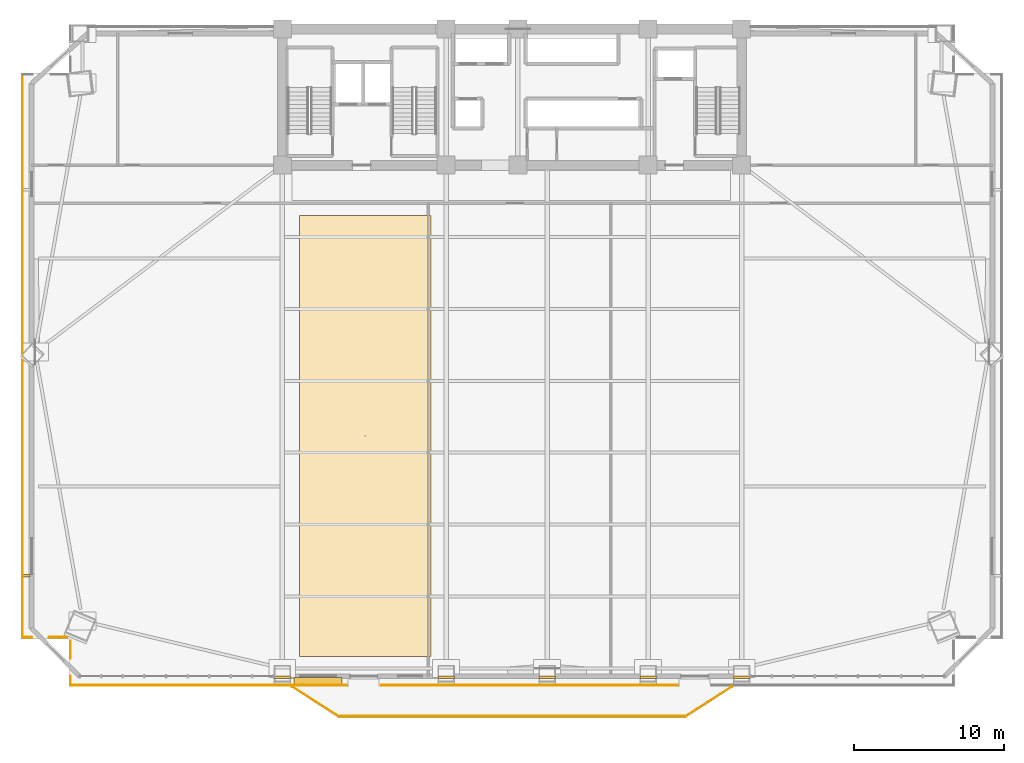
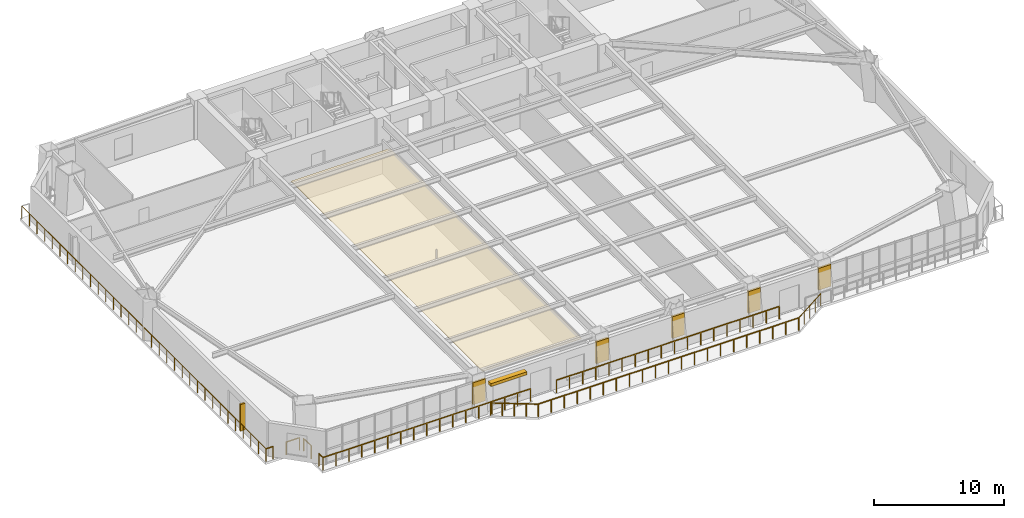
# One storey, part 13 of 17: 10 railings, 6 coverings, 2 shading devices.
"""IFC4 building model written with IfcOpenShell, lengths in metres."""

import ifcopenshell
import ifcopenshell.guid

model = None  # the IFC model being written
_history = None  # IfcOwnerHistory: only IFC2X3 demands one
_inside = {}  # id of a spatial element -> (the spatial element, [elements in it])
_under = {}  # id of a project, library or spatial element -> (it, [spatial elements below it])
_declared = {}  # id of a project -> (the project, [libraries it declares])
_typed = {}  # id of a type object -> (the type object, [elements of that type])
_made_of = {}  # id of a material, layer set ... -> (it, [elements and type objects made of it])


def new_model(schema):
    """Start an empty IFC model of exactly this schema.

    Asked for "IFC4X3", IfcOpenShell would pick the latest addendum, in which some entities
    have other attributes; the version numbers below select the first issue.
    IFC2X3 requires an IfcOwnerHistory on every rooted entity: one is made here for all.
    """
    global model, _history
    if schema == "IFC4X3":
        model = ifcopenshell.file(schema_version=(4, 3, 0, 0))
    else:
        model = ifcopenshell.file(schema=schema)
    _inside.clear()
    _under.clear()
    _declared.clear()
    _typed.clear()
    _made_of.clear()
    _history = None
    if model.schema == "IFC2X3":
        org = make("IfcOrganization", Name="unknown")
        user = make(
            "IfcPersonAndOrganization",
            ThePerson=make("IfcPerson", FamilyName="unknown"),
            TheOrganization=org,
        )
        app = make(
            "IfcApplication",
            ApplicationDeveloper=org,
            Version="unknown",
            ApplicationFullName="unknown",
            ApplicationIdentifier="unknown",
        )
        _history = make(
            "IfcOwnerHistory",
            OwningUser=user,
            OwningApplication=app,
            ChangeAction="ADDED",
            CreationDate=0,
        )
    return model


def make(cls, **values):
    """One entity of the class cls with the attributes given. An attribute that is None is left unset."""
    return model.create_entity(
        cls, **{name: value for name, value in values.items() if value is not None}
    )


def rooted(cls, **values):
    """An entity with a GlobalId (a new one), such as an element, a storey or a relation."""
    return make(cls, GlobalId=ifcopenshell.guid.new(), OwnerHistory=_history, **values)


def si_unit(unit_type, name, prefix=None):
    """IfcSIUnit, for example si_unit("LENGTHUNIT", "METRE", prefix="MILLI")."""
    return make("IfcSIUnit", UnitType=unit_type, Prefix=prefix, Name=name)


def assignment(units):
    """IfcUnitAssignment: the units of a project."""
    return None if units is None else make("IfcUnitAssignment", Units=units)


def point(xyz):
    """IfcCartesianPoint."""
    return None if xyz is None else make("IfcCartesianPoint", Coordinates=xyz)


def direction(xyz):
    """IfcDirection."""
    return None if xyz is None else make("IfcDirection", DirectionRatios=xyz)


def frame(location, z_axis=None, x_axis=None):
    """IfcAxis2Placement3D, a coordinate frame: its origin and axes. An axis left out is left unset."""
    return make(
        "IfcAxis2Placement3D",
        Location=point(location),
        Axis=direction(z_axis),
        RefDirection=direction(x_axis),
    )


def frame_2d(location, x_axis=None):
    """IfcAxis2Placement2D, a coordinate frame in the plane: its origin and x axis."""
    return make(
        "IfcAxis2Placement2D", Location=point(location), RefDirection=direction(x_axis)
    )


def origin():
    """The frame at (0, 0, 0) with its axes left unset."""
    return frame((0.0, 0.0, 0.0))


def origin_2d():
    """The frame at (0, 0) in the plane with its x axis left unset."""
    return frame_2d((0.0, 0.0))


def place(relative_to, where):
    """IfcLocalPlacement: puts the frame where relative to a parent placement (None: the world)."""
    return make(
        "IfcLocalPlacement", PlacementRelTo=relative_to, RelativePlacement=where
    )


def context(
    kind, dimensions, precision=None, world=None, true_north=None, identifier=None
):
    """IfcGeometricRepresentationContext, for example the 3D "Model" context."""
    return make(
        "IfcGeometricRepresentationContext",
        ContextIdentifier=identifier,
        ContextType=kind,
        CoordinateSpaceDimension=dimensions,
        Precision=precision,
        WorldCoordinateSystem=world,
        TrueNorth=true_north,
    )


def subcontext(parent, identifier, kind, view, scale=None):
    """IfcGeometricRepresentationSubContext, for example "Body" below "Model"."""
    return make(
        "IfcGeometricRepresentationSubContext",
        ContextIdentifier=identifier,
        ContextType=kind,
        ParentContext=parent,
        TargetScale=scale,
        TargetView=view,
    )


def project(units=None, contexts=None):
    """IfcProject with its units and contexts."""
    return rooted(
        "IfcProject",
        Name="project",
        RepresentationContexts=contexts,
        UnitsInContext=assignment(units),
    )


def spatial(cls, under=None, at=None, **own):
    """A site, building, storey or space (cls), placed at a placement, below another one or the project."""
    s = rooted(cls, ObjectPlacement=at, **own)
    if under is not None:
        _under.setdefault(under.id(), (under, []))[1].append(s)
    return s


def polyline(points):
    """IfcPolyline through the points."""
    return make("IfcPolyline", Points=[point(p) for p in points])


def profile(cls, at=None, kind="AREA", **sizes):
    """A parametric profile (cls). Its sizes go by their IFC names, for example OverallWidth=200.0."""
    return make(cls, ProfileType=kind, Position=at, **sizes)


def rectangle(**sizes):
    """IfcRectangleProfileDef."""
    return profile("IfcRectangleProfileDef", **sizes)


def outline(outer, holes=None, kind="AREA"):
    """IfcArbitraryClosedProfileDef: a profile drawn as a closed curve; with holes, ...WithVoids."""
    if holes is None:
        return make("IfcArbitraryClosedProfileDef", ProfileType=kind, OuterCurve=outer)
    return make(
        "IfcArbitraryProfileDefWithVoids",
        ProfileType=kind,
        OuterCurve=outer,
        InnerCurves=holes,
    )


def extrude(swept, where, along, depth):
    """IfcExtrudedAreaSolid: the profile swept, set in the frame where, extruded along a direction by depth."""
    return make(
        "IfcExtrudedAreaSolid",
        SweptArea=swept,
        Position=where,
        ExtrudedDirection=direction(along),
        Depth=depth,
    )


def shape(context_of_items, identifier, shape_type, items):
    """IfcShapeRepresentation: the items that make up one representation, for example the "Body"."""
    return make(
        "IfcShapeRepresentation",
        ContextOfItems=context_of_items,
        RepresentationIdentifier=identifier,
        RepresentationType=shape_type,
        Items=items,
    )


def source(mapping_origin, context_of_items, identifier, shape_type, items):
    """IfcRepresentationMap: a shape defined once, which mapped items show again and again."""
    return make(
        "IfcRepresentationMap",
        MappingOrigin=mapping_origin,
        MappedRepresentation=shape(context_of_items, identifier, shape_type, items),
    )


def transform(
    local_origin,
    x_axis=None,
    y_axis=None,
    z_axis=None,
    scale=None,
    scale2=None,
    scale3=None,
    uniform=True,
):
    """IfcCartesianTransformationOperator3D, or its non-uniform kind. x_axis, y_axis, z_axis: its Axis1, 2, 3."""
    if uniform:
        return make(
            "IfcCartesianTransformationOperator3D",
            Axis1=direction(x_axis),
            Axis2=direction(y_axis),
            LocalOrigin=point(local_origin),
            Scale=scale,
            Axis3=direction(z_axis),
        )
    return make(
        "IfcCartesianTransformationOperator3DnonUniform",
        Axis1=direction(x_axis),
        Axis2=direction(y_axis),
        LocalOrigin=point(local_origin),
        Scale=scale,
        Axis3=direction(z_axis),
        Scale2=scale2,
        Scale3=scale3,
    )


def mapped(mapping_source, mapping_target):
    """IfcMappedItem: shows the shape of a source again, moved by a transform."""
    return make(
        "IfcMappedItem", MappingSource=mapping_source, MappingTarget=mapping_target
    )


def material(Name=None, Category=None):
    """IfcMaterial."""
    return make("IfcMaterial", Name=Name, Category=Category)


def layer(
    of_material, thickness, ventilated=None, Name=None, Category=None, Priority=None
):
    """IfcMaterialLayer: one layer of a wall or slab, of a material (None: an air gap)."""
    return make(
        "IfcMaterialLayer",
        Material=of_material,
        LayerThickness=thickness,
        IsVentilated=ventilated,
        Name=Name,
        Category=Category,
        Priority=Priority,
    )


def layer_set(layers, Name=None):
    """IfcMaterialLayerSet."""
    return make("IfcMaterialLayerSet", MaterialLayers=layers, LayerSetName=Name)


def made_of(thing, what):
    """Note that an element or type object is made of a material, layer set ...; save() writes the relation."""
    if what is not None:
        _made_of.setdefault(what.id(), (what, []))[1].append(thing)
    return thing


def type_object(cls, material=None, **own):
    """A type object (cls), such as IfcWallType, which elements share."""
    return made_of(rooted(cls, **own), material)


def element(
    cls,
    number,
    at=None,
    inside=None,
    cuts=None,
    type_object=None,
    material=None,
    context=None,
    identifier="Body",
    shape_type=None,
    held_by="IfcProductDefinitionShape",
    body=None,
    shapes=None,
    **own,
):
    """One element of the class cls, such as IfcWall. Its Tag is "e" and its number.

    at: its placement. inside: the storey or other place that contains it. cuts: it is an
    opening in that element (IfcRelVoidsElement). A single representation is given by context,
    identifier, shape_type and body (its items); several are given by shapes. held_by: the class
    of the entity that holds the representations. save() writes the other relations.
    """
    e = rooted(cls, Tag="e%d" % number, ObjectPlacement=at, **own)
    if body is not None:
        shapes = [shape(context, identifier, shape_type, body)]
    if shapes is not None:
        e.Representation = make(held_by, Representations=shapes)
    if inside is not None:
        _inside.setdefault(inside.id(), (inside, []))[1].append(e)
    if cuts is not None:
        rooted(
            "IfcRelVoidsElement", RelatingBuildingElement=cuts, RelatedOpeningElement=e
        )
    if type_object is not None:
        _typed.setdefault(type_object.id(), (type_object, []))[1].append(e)
    return made_of(e, material)


def aggregate(whole, parts):
    """IfcRelAggregates: a whole, such as a stair, and the parts it consists of."""
    return rooted("IfcRelAggregates", RelatingObject=whole, RelatedObjects=parts)


def save(model, path):
    """Write the relations noted so far, then the file.

    IfcRelAggregates (storeys below a building ...), IfcRelContainedInSpatialStructure (elements
    in a storey), IfcRelDefinesByType, IfcRelAssociatesMaterial and IfcRelDeclares: one each for
    every whole, place, type object, material and project.
    """
    for whole, parts in _under.values():
        aggregate(whole, parts)
    for where, things in _inside.values():
        rooted(
            "IfcRelContainedInSpatialStructure",
            RelatedElements=things,
            RelatingStructure=where,
        )
    for kind, things in _typed.values():
        rooted("IfcRelDefinesByType", RelatedObjects=things, RelatingType=kind)
    for what, things in _made_of.values():
        rooted("IfcRelAssociatesMaterial", RelatedObjects=things, RelatingMaterial=what)
    for by, libraries in _declared.values():
        rooted("IfcRelDeclares", RelatingContext=by, RelatedDefinitions=libraries)
    model.write(path)


model = new_model("IFC4")

# Units and contexts
model_context = context("Model", 3, precision=1e-05, world=origin(), true_north=direction((0.0, 1.0)))
body_context = subcontext(model_context, "Body", "Model", "MODEL_VIEW")
ifc_project = project(units=[si_unit("LENGTHUNIT", "METRE"), si_unit("AREAUNIT", "SQUARE_METRE"), si_unit("VOLUMEUNIT", "CUBIC_METRE"), si_unit("PLANEANGLEUNIT", "RADIAN"), si_unit("MASSUNIT", "GRAM", prefix="KILO")], contexts=[model_context])

# Site, building, storey
site_placement = place(None, origin())
site = spatial("IfcSite", under=ifc_project, at=site_placement, CompositionType="ELEMENT")
building_placement = place(site_placement, origin())
building = spatial("IfcBuilding", under=site, at=building_placement, Name="Giltprow Tower", CompositionType="ELEMENT")
storey_placement = place(building_placement, frame((0.0, 0.0, 33.199951171875)))
storey = spatial("IfcBuildingStorey", under=building, at=storey_placement, Name="L08", CompositionType="ELEMENT", Elevation=33.199951171875)

# Coverings
ifc_material_1 = material(Name="Acoustic mineral fibre", Category="gypsum")
ifc_layer_1 = layer(ifc_material_1, 0.030029296875, Name="Acoustic mineral fibre")
ifc_layer_set_1 = layer_set([ifc_layer_1], Name="Acoustic mineral fibre")
covering_type_1 = type_object("IfcCoveringType", Name="COV-CLG-ACOUSTIC", PredefinedType="CEILING", material=ifc_layer_set_1)
covering_1_placement = place(storey_placement, frame((0.0, 0.0, 2.719970703125)))
element("IfcCovering", 1, at=covering_1_placement, inside=storey, type_object=covering_type_1, Name="L08 Office Acoustic Ceiling", PredefinedType="CEILING", context=body_context, shape_type="SweptSolid", body=[
    extrude(outline(polyline([(21.0, 4.626953125), (29.800048828125, 4.626953125), (29.800048828125, 34.10009765625), (21.0, 34.10009765625), (21.0, 4.626953125)])), origin(), (0.0, 0.0, 1.0), 0.030029296875),
])
ifc_material_2 = material(Name="Anodized bronze", Category="metal")
ifc_layer_2 = layer(ifc_material_2, 0.0400390625, Name="Anodized bronze")
ifc_layer_set_2 = layer_set([ifc_layer_2], Name="Anodized bronze")
covering_type_2 = type_object("IfcCoveringType", Name="COV-SOFFIT-BRONZE", PredefinedType="CLADDING", material=ifc_layer_set_2)
covering_2_placement = place(storey_placement, frame((0.0, 0.0, 1.10009765625)))
element("IfcCovering", 2, at=covering_2_placement, inside=storey, type_object=covering_type_2, Name="L08 Setback Pier Closure Cladding S-1", PredefinedType="CLADDING", context=body_context, shape_type="SweptSolid", body=[
    extrude(outline(polyline([(19.300048828125, 3.139892578125), (20.39990234375, 3.139892578125), (20.39990234375, 3.320068359375), (19.300048828125, 3.320068359375), (19.300048828125, 3.139892578125)])), origin(), (0.0, 0.0, 1.0), 2.06005859375),
])
covering_3_placement = place(storey_placement, frame((0.0, 0.0, 1.10009765625)))
element("IfcCovering", 3, at=covering_3_placement, inside=storey, type_object=covering_type_2, Name="L08 Setback Pier Closure Cladding S-2", PredefinedType="CLADDING", context=body_context, shape_type="SweptSolid", body=[
    extrude(outline(polyline([(30.25, 3.139892578125), (31.35009765625, 3.139892578125), (31.35009765625, 3.320068359375), (30.25, 3.320068359375), (30.25, 3.139892578125)])), origin(), (0.0, 0.0, 1.0), 2.06005859375),
])
covering_4_placement = place(storey_placement, frame((0.0, 0.0, 1.10009765625)))
element("IfcCovering", 4, at=covering_4_placement, inside=storey, type_object=covering_type_2, Name="L08 Setback Pier Closure Cladding S-3", PredefinedType="CLADDING", context=body_context, shape_type="SweptSolid", body=[
    extrude(outline(polyline([(37.0, 3.139892578125), (38.10009765625, 3.139892578125), (38.10009765625, 3.320068359375), (37.0, 3.320068359375), (37.0, 3.139892578125)])), origin(), (0.0, 0.0, 1.0), 2.06005859375),
])
covering_5_placement = place(storey_placement, frame((0.0, 0.0, 1.10009765625)))
element("IfcCovering", 5, at=covering_5_placement, inside=storey, type_object=covering_type_2, Name="L08 Setback Pier Closure Cladding S-4", PredefinedType="CLADDING", context=body_context, shape_type="SweptSolid", body=[
    extrude(outline(polyline([(43.75, 3.139892578125), (44.85009765625, 3.139892578125), (44.85009765625, 3.320068359375), (43.75, 3.320068359375), (43.75, 3.139892578125)])), origin(), (0.0, 0.0, 1.0), 2.06005859375),
])
covering_6_placement = place(storey_placement, frame((0.0, 0.0, 1.10009765625)))
element("IfcCovering", 6, at=covering_6_placement, inside=storey, type_object=covering_type_2, Name="L08 Setback Pier Closure Cladding S-5", PredefinedType="CLADDING", context=body_context, shape_type="SweptSolid", body=[
    extrude(outline(polyline([(50.0, 3.139892578125), (51.10009765625, 3.139892578125), (51.10009765625, 3.320068359375), (50.0, 3.320068359375), (50.0, 3.139892578125)])), origin(), (0.0, 0.0, 1.0), 2.06005859375),
])

# Railings
railing_type = type_object("IfcRailingType", Name="RAIL-BALC-GUARD-1200", PredefinedType="BALUSTRADE", material=ifc_material_2)
railing_1_placement = place(storey_placement, frame((20.52001953125, 2.60009765625, 0.0)))
element("IfcRailing", 7, at=railing_1_placement, inside=storey, type_object=railing_type, Name="L08 Waterfront Balcony Balustrade Seg 1", PredefinedType="BALUSTRADE", context=body_context, shape_type="SweptSolid", body=[
    extrude(rectangle(XDim=0.048095703125, YDim=0.048095703125, at=origin_2d()), frame((0.0, 0.0, 1.17578125), z_axis=(0.84277487735, -0.538266203757, 0.0), x_axis=(0.538266203757, 0.84277487735, 0.0)), (0.0, 0.0, 1.0), 3.678466796875),
    extrude(rectangle(XDim=0.0419921875, YDim=0.0419921875, at=origin_2d()), origin(), (0.0, 0.0, 1.0), 1.15185546875),
    extrude(rectangle(XDim=0.0419921875, YDim=0.0419921875, at=origin_2d()), frame((0.77490234375, -0.4951171875, 0.0)), (0.0, 0.0, 1.0), 1.15185546875),
    extrude(rectangle(XDim=0.0419921875, YDim=0.0419921875, at=origin_2d()), frame((1.550048828125, -0.989990234375, 0.0)), (0.0, 0.0, 1.0), 1.15185546875),
    extrude(rectangle(XDim=0.0419921875, YDim=0.0419921875, at=origin_2d()), frame((2.3251953125, -1.48486328125, 0.0)), (0.0, 0.0, 1.0), 1.15185546875),
    extrude(rectangle(XDim=0.0419921875, YDim=0.0419921875, at=origin_2d()), frame((3.10009765625, -1.97998046875, 0.0)), (0.0, 0.0, 1.0), 1.15185546875),
])
railing_2_placement = place(storey_placement, frame((23.6201171875, 0.6201171875, 0.0)))
element("IfcRailing", 8, at=railing_2_placement, inside=storey, type_object=railing_type, Name="L08 Waterfront Balcony Balustrade Seg 2", PredefinedType="BALUSTRADE", context=body_context, shape_type="SweptSolid", body=[
    extrude(rectangle(XDim=0.048095703125, YDim=0.048095703125, at=origin_2d()), frame((0.0, 0.0, 1.17578125), z_axis=(1.0, 0.0, 0.0), x_axis=(0.0, 1.0, 0.0)), (0.0, 0.0, 1.0), 23.159912109375),
    extrude(rectangle(XDim=0.0419921875, YDim=0.0419921875, at=origin_2d()), origin(), (0.0, 0.0, 1.0), 1.15185546875),
    extrude(rectangle(XDim=0.0419921875, YDim=0.0419921875, at=origin_2d()), frame((1.157958984375, 0.0, 0.0)), (0.0, 0.0, 1.0), 1.15185546875),
    extrude(rectangle(XDim=0.0419921875, YDim=0.0419921875, at=origin_2d()), frame((2.31591796875, 0.0, 0.0)), (0.0, 0.0, 1.0), 1.15185546875),
    extrude(rectangle(XDim=0.0419921875, YDim=0.0419921875, at=origin_2d()), frame((3.473876953125, 0.0, 0.0)), (0.0, 0.0, 1.0), 1.15185546875),
    extrude(rectangle(XDim=0.0419921875, YDim=0.0419921875, at=origin_2d()), frame((4.632080078125, 0.0, 0.0)), (0.0, 0.0, 1.0), 1.15185546875),
    extrude(rectangle(XDim=0.0419921875, YDim=0.0419921875, at=origin_2d()), frame((5.7900390625, 0.0, 0.0)), (0.0, 0.0, 1.0), 1.15185546875),
    extrude(rectangle(XDim=0.0419921875, YDim=0.0419921875, at=origin_2d()), frame((6.947998046875, 0.0, 0.0)), (0.0, 0.0, 1.0), 1.15185546875),
    extrude(rectangle(XDim=0.0419921875, YDim=0.0419921875, at=origin_2d()), frame((8.10595703125, 0.0, 0.0)), (0.0, 0.0, 1.0), 1.15185546875),
    extrude(rectangle(XDim=0.0419921875, YDim=0.0419921875, at=origin_2d()), frame((9.263916015625, 0.0, 0.0)), (0.0, 0.0, 1.0), 1.15185546875),
    extrude(rectangle(XDim=0.0419921875, YDim=0.0419921875, at=origin_2d()), frame((10.421875, 0.0, 0.0)), (0.0, 0.0, 1.0), 1.15185546875),
    extrude(rectangle(XDim=0.0419921875, YDim=0.0419921875, at=origin_2d()), frame((11.580078125, 0.0, 0.0)), (0.0, 0.0, 1.0), 1.15185546875),
    extrude(rectangle(XDim=0.0419921875, YDim=0.0419921875, at=origin_2d()), frame((12.738037109375, 0.0, 0.0)), (0.0, 0.0, 1.0), 1.15185546875),
    extrude(rectangle(XDim=0.0419921875, YDim=0.0419921875, at=origin_2d()), frame((13.89599609375, 0.0, 0.0)), (0.0, 0.0, 1.0), 1.15185546875),
    extrude(rectangle(XDim=0.0419921875, YDim=0.0419921875, at=origin_2d()), frame((15.053955078125, 0.0, 0.0)), (0.0, 0.0, 1.0), 1.15185546875),
    extrude(rectangle(XDim=0.0419921875, YDim=0.0419921875, at=origin_2d()), frame((16.2119140625, 0.0, 0.0)), (0.0, 0.0, 1.0), 1.15185546875),
    extrude(rectangle(XDim=0.0419921875, YDim=0.0419921875, at=origin_2d()), frame((17.369873046875, 0.0, 0.0)), (0.0, 0.0, 1.0), 1.15185546875),
    extrude(rectangle(XDim=0.0419921875, YDim=0.0419921875, at=origin_2d()), frame((18.52783203125, 0.0, 0.0)), (0.0, 0.0, 1.0), 1.15185546875),
    extrude(rectangle(XDim=0.0419921875, YDim=0.0419921875, at=origin_2d()), frame((19.68603515625, 0.0, 0.0)), (0.0, 0.0, 1.0), 1.15185546875),
    extrude(rectangle(XDim=0.0419921875, YDim=0.0419921875, at=origin_2d()), frame((20.843994140625, 0.0, 0.0)), (0.0, 0.0, 1.0), 1.15185546875),
    extrude(rectangle(XDim=0.0419921875, YDim=0.0419921875, at=origin_2d()), frame((22.001953125, 0.0, 0.0)), (0.0, 0.0, 1.0), 1.15185546875),
    extrude(rectangle(XDim=0.0419921875, YDim=0.0419921875, at=origin_2d()), frame((23.159912109375, 0.0, 0.0)), (0.0, 0.0, 1.0), 1.15185546875),
])
railing_3_placement = place(storey_placement, frame((46.780029296875, 0.6201171875, 0.0)))
element("IfcRailing", 9, at=railing_3_placement, inside=storey, type_object=railing_type, Name="L08 Waterfront Balcony Balustrade Seg 3", PredefinedType="BALUSTRADE", context=body_context, shape_type="SweptSolid", body=[
    extrude(rectangle(XDim=0.048095703125, YDim=0.048095703125, at=origin_2d()), frame((0.0, 0.0, 1.17578125), z_axis=(0.842755646126, 0.538296313309, 0.0), x_axis=(-0.538296313309, 0.842755646126, 0.0)), (0.0, 0.0, 1.0), 3.67822265625),
    extrude(rectangle(XDim=0.0419921875, YDim=0.0419921875, at=origin_2d()), origin(), (0.0, 0.0, 1.0), 1.15185546875),
    extrude(rectangle(XDim=0.0419921875, YDim=0.0419921875, at=origin_2d()), frame((0.77490234375, 0.4951171875, 0.0)), (0.0, 0.0, 1.0), 1.15185546875),
    extrude(rectangle(XDim=0.0419921875, YDim=0.0419921875, at=origin_2d()), frame((1.5498046875, 0.989990234375, 0.0)), (0.0, 0.0, 1.0), 1.15185546875),
    extrude(rectangle(XDim=0.0419921875, YDim=0.0419921875, at=origin_2d()), frame((2.324951171875, 1.48486328125, 0.0)), (0.0, 0.0, 1.0), 1.15185546875),
    extrude(rectangle(XDim=0.0419921875, YDim=0.0419921875, at=origin_2d()), frame((3.099853515625, 1.97998046875, 0.0)), (0.0, 0.0, 1.0), 1.15185546875),
])
railing_4_placement = place(storey_placement, frame((5.699951171875, 2.699951171875, 0.0)))
element("IfcRailing", 10, at=railing_4_placement, inside=storey, type_object=railing_type, Name="L08 Corner Apron Edge Balustrade 1", PredefinedType="BALUSTRADE", context=body_context, shape_type="SweptSolid", body=[
    extrude(rectangle(XDim=0.048095703125, YDim=0.048095703125, at=origin_2d()), frame((0.0, 0.0, 1.17578125), z_axis=(0.0, 1.0, 0.0), x_axis=(-1.0, 0.0, 0.0)), (0.0, 0.0, 1.0), 0.6201171875),
    extrude(rectangle(XDim=0.0419921875, YDim=0.0419921875, at=origin_2d()), origin(), (0.0, 0.0, 1.0), 1.15185546875),
    extrude(rectangle(XDim=0.0419921875, YDim=0.0419921875, at=origin_2d()), frame((0.0, 0.6201171875, 0.0)), (0.0, 0.0, 1.0), 1.15185546875),
])
railing_5_placement = place(storey_placement, frame((5.699951171875, 4.47998046875, 0.0)))
element("IfcRailing", 11, at=railing_5_placement, inside=storey, type_object=railing_type, Name="L08 Corner Apron Edge Balustrade 2", PredefinedType="BALUSTRADE", context=body_context, shape_type="SweptSolid", body=[
    extrude(rectangle(XDim=0.048095703125, YDim=0.048095703125, at=origin_2d()), frame((0.0, 0.0, 1.17578125), z_axis=(0.0, 1.0, 0.0), x_axis=(-1.0, 0.0, 0.0)), (0.0, 0.0, 1.0), 1.18505859375),
    extrude(rectangle(XDim=0.0419921875, YDim=0.0419921875, at=origin_2d()), origin(), (0.0, 0.0, 1.0), 1.15185546875),
    extrude(rectangle(XDim=0.0419921875, YDim=0.0419921875, at=origin_2d()), frame((0.0, 1.18505859375, 0.0)), (0.0, 0.0, 1.0), 1.15185546875),
])
railing_6_placement = place(storey_placement, frame((5.465087890625, 5.89990234375, 0.0)))
element("IfcRailing", 12, at=railing_6_placement, inside=storey, type_object=railing_type, Name="L08 Corner Apron Edge Balustrade 3", PredefinedType="BALUSTRADE", context=body_context, shape_type="SweptSolid", body=[
    extrude(rectangle(XDim=0.048095703125, YDim=0.048095703125, at=origin_2d()), frame((0.0, 0.0, 1.17578125), z_axis=(-1.0, 0.0, 0.0), x_axis=(0.0, -1.0, 0.0)), (0.0, 0.0, 1.0), 1.18505859375),
    extrude(rectangle(XDim=0.0419921875, YDim=0.0419921875, at=origin_2d()), origin(), (0.0, 0.0, 1.0), 1.15185546875),
    extrude(rectangle(XDim=0.0419921875, YDim=0.0419921875, at=origin_2d()), frame((-1.18505859375, 0.0, 0.0)), (0.0, 0.0, 1.0), 1.15185546875),
])
railing_7_placement = place(storey_placement, frame((3.1201171875, 5.89990234375, 0.0)))
element("IfcRailing", 13, at=railing_7_placement, inside=storey, type_object=railing_type, Name="L08 Corner Apron Edge Balustrade 4", PredefinedType="BALUSTRADE", context=body_context, shape_type="SweptSolid", body=[
    extrude(rectangle(XDim=0.048095703125, YDim=0.048095703125, at=origin_2d()), frame((0.0, 0.0, 1.17578125), z_axis=(-1.0, 0.0, 0.0), x_axis=(0.0, -1.0, 0.0)), (0.0, 0.0, 1.0), 0.6201171875),
    extrude(rectangle(XDim=0.0419921875, YDim=0.0419921875, at=origin_2d()), origin(), (0.0, 0.0, 1.0), 1.15185546875),
    extrude(rectangle(XDim=0.0419921875, YDim=0.0419921875, at=origin_2d()), frame((-0.6201171875, 0.0, 0.0)), (0.0, 0.0, 1.0), 1.15185546875),
])
railing_8_placement = place(storey_placement, frame((2.5, 5.89990234375, 0.0)))
element("IfcRailing", 14, at=railing_8_placement, inside=storey, type_object=railing_type, Name="L08 Corner Apron Edge Balustrade 5", PredefinedType="BALUSTRADE", context=body_context, shape_type="SweptSolid", body=[
    extrude(rectangle(XDim=0.048095703125, YDim=0.048095703125, at=origin_2d()), frame((0.0, 0.0, 1.17578125), z_axis=(0.0, 1.0, 0.0), x_axis=(-1.0, 0.0, 0.0)), (0.0, 0.0, 1.0), 37.60009765625),
    extrude(rectangle(XDim=0.0419921875, YDim=0.0419921875, at=origin_2d()), origin(), (0.0, 0.0, 1.0), 1.15185546875),
    extrude(rectangle(XDim=0.0419921875, YDim=0.0419921875, at=origin_2d()), frame((0.0, 1.175048828125, 0.0)), (0.0, 0.0, 1.0), 1.15185546875),
    extrude(rectangle(XDim=0.0419921875, YDim=0.0419921875, at=origin_2d()), frame((0.0, 2.35009765625, 0.0)), (0.0, 0.0, 1.0), 1.15185546875),
    extrude(rectangle(XDim=0.0419921875, YDim=0.0419921875, at=origin_2d()), frame((0.0, 3.52490234375, 0.0)), (0.0, 0.0, 1.0), 1.15185546875),
    extrude(rectangle(XDim=0.0419921875, YDim=0.0419921875, at=origin_2d()), frame((0.0, 4.699951171875, 0.0)), (0.0, 0.0, 1.0), 1.15185546875),
    extrude(rectangle(XDim=0.0419921875, YDim=0.0419921875, at=origin_2d()), frame((0.0, 5.875, 0.0)), (0.0, 0.0, 1.0), 1.15185546875),
    extrude(rectangle(XDim=0.0419921875, YDim=0.0419921875, at=origin_2d()), frame((0.0, 7.050048828125, 0.0)), (0.0, 0.0, 1.0), 1.15185546875),
    extrude(rectangle(XDim=0.0419921875, YDim=0.0419921875, at=origin_2d()), frame((0.0, 8.22509765625, 0.0)), (0.0, 0.0, 1.0), 1.15185546875),
    extrude(rectangle(XDim=0.0419921875, YDim=0.0419921875, at=origin_2d()), frame((0.0, 9.39990234375, 0.0)), (0.0, 0.0, 1.0), 1.15185546875),
    extrude(rectangle(XDim=0.0419921875, YDim=0.0419921875, at=origin_2d()), frame((0.0, 10.574951171875, 0.0)), (0.0, 0.0, 1.0), 1.15185546875),
    extrude(rectangle(XDim=0.0419921875, YDim=0.0419921875, at=origin_2d()), frame((0.0, 11.75, 0.0)), (0.0, 0.0, 1.0), 1.15185546875),
    extrude(rectangle(XDim=0.0419921875, YDim=0.0419921875, at=origin_2d()), frame((0.0, 12.925048828125, 0.0)), (0.0, 0.0, 1.0), 1.15185546875),
    extrude(rectangle(XDim=0.0419921875, YDim=0.0419921875, at=origin_2d()), frame((0.0, 14.10009765625, 0.0)), (0.0, 0.0, 1.0), 1.15185546875),
    extrude(rectangle(XDim=0.0419921875, YDim=0.0419921875, at=origin_2d()), frame((0.0, 15.275146484375, 0.0)), (0.0, 0.0, 1.0), 1.15185546875),
    extrude(rectangle(XDim=0.0419921875, YDim=0.0419921875, at=origin_2d()), frame((0.0, 16.449951171875, 0.0)), (0.0, 0.0, 1.0), 1.15185546875),
    extrude(rectangle(XDim=0.0419921875, YDim=0.0419921875, at=origin_2d()), frame((0.0, 17.625, 0.0)), (0.0, 0.0, 1.0), 1.15185546875),
    extrude(rectangle(XDim=0.0419921875, YDim=0.0419921875, at=origin_2d()), frame((0.0, 18.800048828125, 0.0)), (0.0, 0.0, 1.0), 1.15185546875),
    extrude(rectangle(XDim=0.0419921875, YDim=0.0419921875, at=origin_2d()), frame((0.0, 19.97509765625, 0.0)), (0.0, 0.0, 1.0), 1.15185546875),
    extrude(rectangle(XDim=0.0419921875, YDim=0.0419921875, at=origin_2d()), frame((0.0, 21.150146484375, 0.0)), (0.0, 0.0, 1.0), 1.15185546875),
    extrude(rectangle(XDim=0.0419921875, YDim=0.0419921875, at=origin_2d()), frame((0.0, 22.324951171875, 0.0)), (0.0, 0.0, 1.0), 1.15185546875),
    extrude(rectangle(XDim=0.0419921875, YDim=0.0419921875, at=origin_2d()), frame((0.0, 23.5, 0.0)), (0.0, 0.0, 1.0), 1.15185546875),
    extrude(rectangle(XDim=0.0419921875, YDim=0.0419921875, at=origin_2d()), frame((0.0, 24.675048828125, 0.0)), (0.0, 0.0, 1.0), 1.15185546875),
    extrude(rectangle(XDim=0.0419921875, YDim=0.0419921875, at=origin_2d()), frame((0.0, 25.85009765625, 0.0)), (0.0, 0.0, 1.0), 1.15185546875),
    extrude(rectangle(XDim=0.0419921875, YDim=0.0419921875, at=origin_2d()), frame((0.0, 27.025146484375, 0.0)), (0.0, 0.0, 1.0), 1.15185546875),
    extrude(rectangle(XDim=0.0419921875, YDim=0.0419921875, at=origin_2d()), frame((0.0, 28.2001953125, 0.0)), (0.0, 0.0, 1.0), 1.15185546875),
    extrude(rectangle(XDim=0.0419921875, YDim=0.0419921875, at=origin_2d()), frame((0.0, 29.375, 0.0)), (0.0, 0.0, 1.0), 1.15185546875),
    extrude(rectangle(XDim=0.0419921875, YDim=0.0419921875, at=origin_2d()), frame((0.0, 30.550048828125, 0.0)), (0.0, 0.0, 1.0), 1.15185546875),
    extrude(rectangle(XDim=0.0419921875, YDim=0.0419921875, at=origin_2d()), frame((0.0, 31.72509765625, 0.0)), (0.0, 0.0, 1.0), 1.15185546875),
    extrude(rectangle(XDim=0.0419921875, YDim=0.0419921875, at=origin_2d()), frame((0.0, 32.900146484375, 0.0)), (0.0, 0.0, 1.0), 1.15185546875),
    extrude(rectangle(XDim=0.0419921875, YDim=0.0419921875, at=origin_2d()), frame((0.0, 34.0751953125, 0.0)), (0.0, 0.0, 1.0), 1.15185546875),
    extrude(rectangle(XDim=0.0419921875, YDim=0.0419921875, at=origin_2d()), frame((0.0, 35.25, 0.0)), (0.0, 0.0, 1.0), 1.15185546875),
    extrude(rectangle(XDim=0.0419921875, YDim=0.0419921875, at=origin_2d()), frame((0.0, 36.425048828125, 0.0)), (0.0, 0.0, 1.0), 1.15185546875),
    extrude(rectangle(XDim=0.0419921875, YDim=0.0419921875, at=origin_2d()), frame((0.0, 37.60009765625, 0.0)), (0.0, 0.0, 1.0), 1.15185546875),
])
railing_9_placement = place(storey_placement, frame((46.25, 2.699951171875, 0.0)))
element("IfcRailing", 15, at=railing_9_placement, inside=storey, type_object=railing_type, Name="L08 Corner Apron Edge Balustrade 22", PredefinedType="BALUSTRADE", context=body_context, shape_type="SweptSolid", body=[
    extrude(rectangle(XDim=0.048095703125, YDim=0.048095703125, at=origin_2d()), frame((0.0, 0.0, 1.17578125), z_axis=(-1.0, 0.0, 0.0), x_axis=(0.0, -1.0, 0.0)), (0.0, 0.0, 1.0), 19.800048828125),
    extrude(rectangle(XDim=0.0419921875, YDim=0.0419921875, at=origin_2d()), origin(), (0.0, 0.0, 1.0), 1.15185546875),
    extrude(rectangle(XDim=0.0419921875, YDim=0.0419921875, at=origin_2d()), frame((-1.164794921875, 0.0, 0.0)), (0.0, 0.0, 1.0), 1.15185546875),
    extrude(rectangle(XDim=0.0419921875, YDim=0.0419921875, at=origin_2d()), frame((-2.329345703125, 0.0, 0.0)), (0.0, 0.0, 1.0), 1.15185546875),
    extrude(rectangle(XDim=0.0419921875, YDim=0.0419921875, at=origin_2d()), frame((-3.494140625, 0.0, 0.0)), (0.0, 0.0, 1.0), 1.15185546875),
    extrude(rectangle(XDim=0.0419921875, YDim=0.0419921875, at=origin_2d()), frame((-4.658935546875, 0.0, 0.0)), (0.0, 0.0, 1.0), 1.15185546875),
    extrude(rectangle(XDim=0.0419921875, YDim=0.0419921875, at=origin_2d()), frame((-5.823486328125, 0.0, 0.0)), (0.0, 0.0, 1.0), 1.15185546875),
    extrude(rectangle(XDim=0.0419921875, YDim=0.0419921875, at=origin_2d()), frame((-6.98828125, 0.0, 0.0)), (0.0, 0.0, 1.0), 1.15185546875),
    extrude(rectangle(XDim=0.0419921875, YDim=0.0419921875, at=origin_2d()), frame((-8.153076171875, 0.0, 0.0)), (0.0, 0.0, 1.0), 1.15185546875),
    extrude(rectangle(XDim=0.0419921875, YDim=0.0419921875, at=origin_2d()), frame((-9.317626953125, 0.0, 0.0)), (0.0, 0.0, 1.0), 1.15185546875),
    extrude(rectangle(XDim=0.0419921875, YDim=0.0419921875, at=origin_2d()), frame((-10.482421875, 0.0, 0.0)), (0.0, 0.0, 1.0), 1.15185546875),
    extrude(rectangle(XDim=0.0419921875, YDim=0.0419921875, at=origin_2d()), frame((-11.64697265625, 0.0, 0.0)), (0.0, 0.0, 1.0), 1.15185546875),
    extrude(rectangle(XDim=0.0419921875, YDim=0.0419921875, at=origin_2d()), frame((-12.811767578125, 0.0, 0.0)), (0.0, 0.0, 1.0), 1.15185546875),
    extrude(rectangle(XDim=0.0419921875, YDim=0.0419921875, at=origin_2d()), frame((-13.9765625, 0.0, 0.0)), (0.0, 0.0, 1.0), 1.15185546875),
    extrude(rectangle(XDim=0.0419921875, YDim=0.0419921875, at=origin_2d()), frame((-15.14111328125, 0.0, 0.0)), (0.0, 0.0, 1.0), 1.15185546875),
    extrude(rectangle(XDim=0.0419921875, YDim=0.0419921875, at=origin_2d()), frame((-16.305908203125, 0.0, 0.0)), (0.0, 0.0, 1.0), 1.15185546875),
    extrude(rectangle(XDim=0.0419921875, YDim=0.0419921875, at=origin_2d()), frame((-17.470703125, 0.0, 0.0)), (0.0, 0.0, 1.0), 1.15185546875),
    extrude(rectangle(XDim=0.0419921875, YDim=0.0419921875, at=origin_2d()), frame((-18.63525390625, 0.0, 0.0)), (0.0, 0.0, 1.0), 1.15185546875),
    extrude(rectangle(XDim=0.0419921875, YDim=0.0419921875, at=origin_2d()), frame((-19.800048828125, 0.0, 0.0)), (0.0, 0.0, 1.0), 1.15185546875),
])
railing_10_placement = place(storey_placement, frame((24.14990234375, 2.699951171875, 0.0)))
element("IfcRailing", 16, at=railing_10_placement, inside=storey, type_object=railing_type, Name="L08 Corner Apron Edge Balustrade 23", PredefinedType="BALUSTRADE", context=body_context, shape_type="SweptSolid", body=[
    extrude(rectangle(XDim=0.048095703125, YDim=0.048095703125, at=origin_2d()), frame((0.0, 0.0, 1.17578125), z_axis=(-1.0, 0.0, 0.0), x_axis=(0.0, -1.0, 0.0)), (0.0, 0.0, 1.0), 18.449951171875),
    extrude(rectangle(XDim=0.0419921875, YDim=0.0419921875, at=origin_2d()), origin(), (0.0, 0.0, 1.0), 1.15185546875),
    extrude(rectangle(XDim=0.0419921875, YDim=0.0419921875, at=origin_2d()), frame((-1.153076171875, 0.0, 0.0)), (0.0, 0.0, 1.0), 1.15185546875),
    extrude(rectangle(XDim=0.0419921875, YDim=0.0419921875, at=origin_2d()), frame((-2.30615234375, 0.0, 0.0)), (0.0, 0.0, 1.0), 1.15185546875),
    extrude(rectangle(XDim=0.0419921875, YDim=0.0419921875, at=origin_2d()), frame((-3.45947265625, 0.0, 0.0)), (0.0, 0.0, 1.0), 1.15185546875),
    extrude(rectangle(XDim=0.0419921875, YDim=0.0419921875, at=origin_2d()), frame((-4.612548828125, 0.0, 0.0)), (0.0, 0.0, 1.0), 1.15185546875),
    extrude(rectangle(XDim=0.0419921875, YDim=0.0419921875, at=origin_2d()), frame((-5.765625, 0.0, 0.0)), (0.0, 0.0, 1.0), 1.15185546875),
    extrude(rectangle(XDim=0.0419921875, YDim=0.0419921875, at=origin_2d()), frame((-6.918701171875, 0.0, 0.0)), (0.0, 0.0, 1.0), 1.15185546875),
    extrude(rectangle(XDim=0.0419921875, YDim=0.0419921875, at=origin_2d()), frame((-8.07177734375, 0.0, 0.0)), (0.0, 0.0, 1.0), 1.15185546875),
    extrude(rectangle(XDim=0.0419921875, YDim=0.0419921875, at=origin_2d()), frame((-9.22509765625, 0.0, 0.0)), (0.0, 0.0, 1.0), 1.15185546875),
    extrude(rectangle(XDim=0.0419921875, YDim=0.0419921875, at=origin_2d()), frame((-10.378173828125, 0.0, 0.0)), (0.0, 0.0, 1.0), 1.15185546875),
    extrude(rectangle(XDim=0.0419921875, YDim=0.0419921875, at=origin_2d()), frame((-11.53125, 0.0, 0.0)), (0.0, 0.0, 1.0), 1.15185546875),
    extrude(rectangle(XDim=0.0419921875, YDim=0.0419921875, at=origin_2d()), frame((-12.684326171875, 0.0, 0.0)), (0.0, 0.0, 1.0), 1.15185546875),
    extrude(rectangle(XDim=0.0419921875, YDim=0.0419921875, at=origin_2d()), frame((-13.83740234375, 0.0, 0.0)), (0.0, 0.0, 1.0), 1.15185546875),
    extrude(rectangle(XDim=0.0419921875, YDim=0.0419921875, at=origin_2d()), frame((-14.990478515625, 0.0, 0.0)), (0.0, 0.0, 1.0), 1.15185546875),
    extrude(rectangle(XDim=0.0419921875, YDim=0.0419921875, at=origin_2d()), frame((-16.143798828125, 0.0, 0.0)), (0.0, 0.0, 1.0), 1.15185546875),
    extrude(rectangle(XDim=0.0419921875, YDim=0.0419921875, at=origin_2d()), frame((-17.296875, 0.0, 0.0)), (0.0, 0.0, 1.0), 1.15185546875),
    extrude(rectangle(XDim=0.0419921875, YDim=0.0419921875, at=origin_2d()), frame((-18.449951171875, 0.0, 0.0)), (0.0, 0.0, 1.0), 1.15185546875),
])

# Shading devices
shading_device_type_1 = type_object("IfcShadingDeviceType", Name="SHD-FIN-420", PredefinedType="USERDEFINED", material=ifc_material_2)
shared_shape_1 = source(origin(), body_context, "Body", "SweptSolid", [
    extrude(rectangle(XDim=0.419921875, YDim=0.159912109375, at=origin_2d()), origin(), (0.0, 0.0, 1.0), 2.5),
])
shading_device_1_placement = place(storey_placement, frame((2.780029296875, 10.009033203125, 0.35009765625), z_axis=(0.0, 0.0, 1.0), x_axis=(1.0, 0.0, 0.0)))
element("IfcShadingDevice", 17, at=shading_device_1_placement, inside=storey, type_object=shading_device_type_1, Name="L08 W Bronze Vertical Fin 1-1", ObjectType="FIN", PredefinedType="USERDEFINED", context=body_context, shape_type="MappedRepresentation", body=[
    mapped(shared_shape_1, transform((0.0, 0.0, 0.0), x_axis=(1.0, 0.0, 0.0), y_axis=(0.0, 1.0, 0.0), z_axis=(0.0, 0.0, 1.0), scale=1.0)),
])
shading_device_type_2 = type_object("IfcShadingDeviceType", Name="SHD-LOUVRE-320", PredefinedType="JALOUSIE", material=ifc_material_2)
shared_shape_2 = source(origin(), body_context, "Body", "SweptSolid", [
    extrude(rectangle(XDim=3.199951171875, YDim=0.449951171875, at=origin_2d()), origin(), (0.0, 0.0, 1.0), 0.280029296875),
])
shading_device_2_placement = place(storey_placement, frame((22.25, 2.97998046875, 2.56005859375), z_axis=(0.0, 0.0, 1.0), x_axis=(1.0, 0.0, 0.0)))
element("IfcShadingDevice", 18, at=shading_device_2_placement, inside=storey, type_object=shading_device_type_2, Name="L08 Bronze Sunshade Louvre S-2", PredefinedType="JALOUSIE", context=body_context, shape_type="MappedRepresentation", body=[
    mapped(shared_shape_2, transform((0.0, 0.0, 0.0), x_axis=(1.0, 0.0, 0.0), y_axis=(0.0, 1.0, 0.0), z_axis=(0.0, 0.0, 1.0), scale=1.0)),
])

save(model, "model.ifc")
